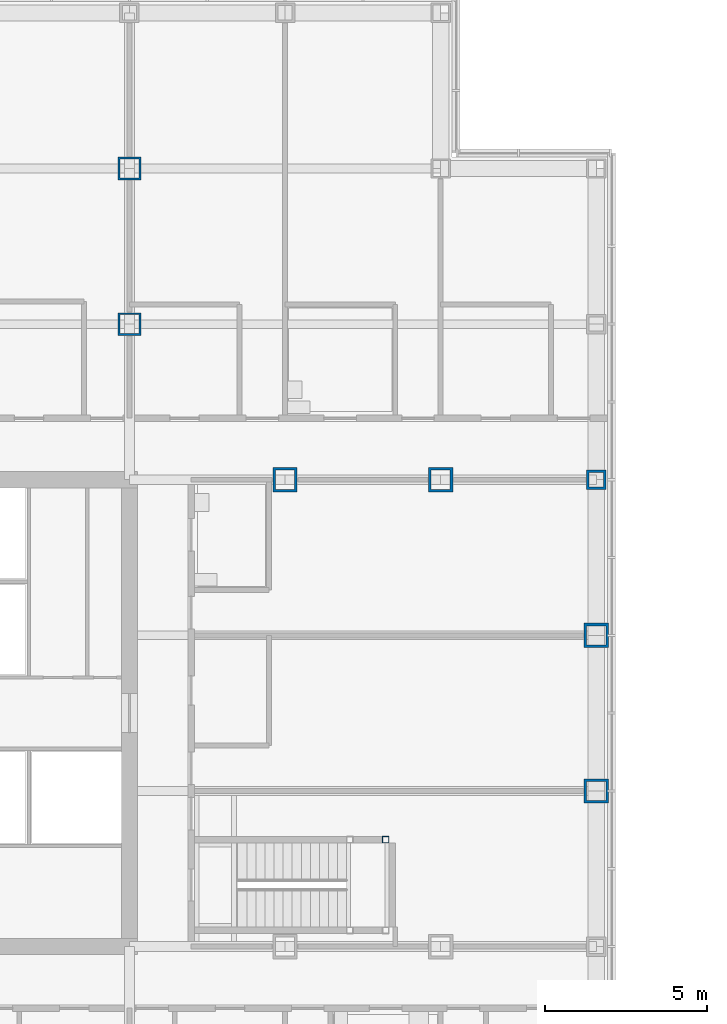
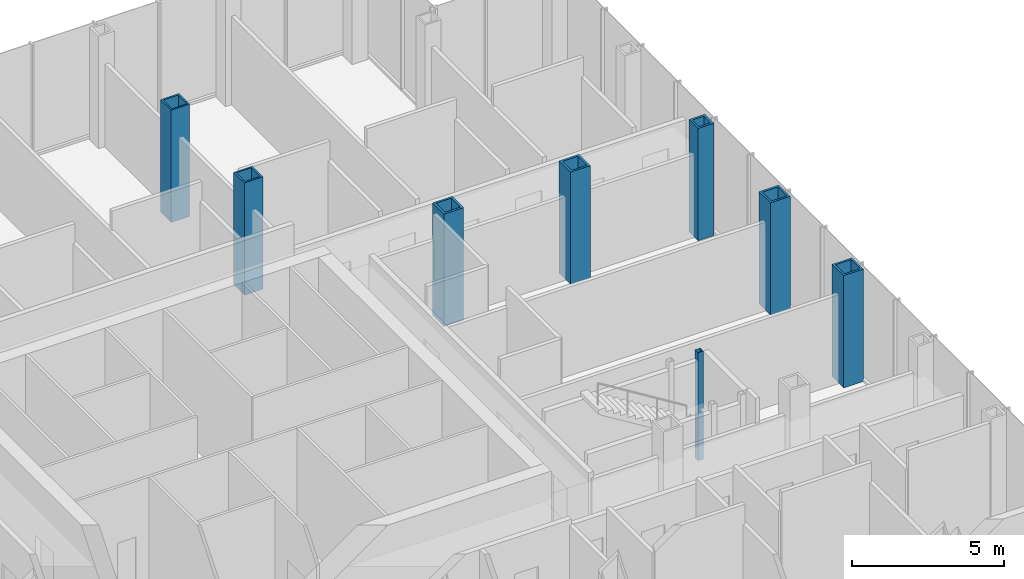
# One storey, part 7 of 24: 8 columns.
"""IFC4 building model written with IfcOpenShell, lengths in metres."""

from ifc_helpers import new_model, si_unit, direction, frame, origin, origin_2d, place, context, subcontext, project, spatial, hollow_rectangle, extrude, material, material_profile, profile_set, type_object, element, save


model = new_model("IFC4")

# Units and contexts
model_context = context("Model", 3, precision=1e-05, world=origin(), true_north=direction((0.0, 1.0)))
body_context = subcontext(model_context, "Body", "Model", "MODEL_VIEW")
ifc_project = project(units=[si_unit("LENGTHUNIT", "METRE"), si_unit("AREAUNIT", "SQUARE_METRE"), si_unit("VOLUMEUNIT", "CUBIC_METRE"), si_unit("PLANEANGLEUNIT", "RADIAN"), si_unit("MASSUNIT", "GRAM", prefix="KILO")], contexts=[model_context])

# Site, building, storey
site_placement = place(None, origin())
site = spatial("IfcSite", under=ifc_project, at=site_placement, CompositionType="ELEMENT")
building_placement = place(site_placement, origin())
building = spatial("IfcBuilding", under=site, at=building_placement, Name="Kvirike Care Tower", CompositionType="ELEMENT")
storey_placement = place(building_placement, frame((0.0, 0.0, 22.5)))
storey = spatial("IfcBuildingStorey", under=building, at=storey_placement, Name="L05", CompositionType="ELEMENT", Elevation=22.5)

# Columns
ifc_material_1 = material(Name="Steel S460", Category="steel")
ifc_material_profile_1 = material_profile(ifc_material_1, hollow_rectangle(XDim=0.60009765625, YDim=0.60009765625, WallThickness=0.080078125, at=origin_2d()), Name="BX 600x600x80")
ifc_profile_set_1 = profile_set([ifc_material_profile_1], Name="Steel S460")
column_type_1 = type_object("IfcColumnType", Name="COLUMN BX 600x600x80", PredefinedType="COLUMN", material=ifc_profile_set_1)
column_1_placement = place(storey_placement, frame((43.199951171875, 43.199951171875, 0.0), z_axis=(0.0, 0.0, 1.0), x_axis=(0.0, 1.0, 0.0)))
element("IfcColumn", 1, at=column_1_placement, inside=storey, type_object=column_type_1, Name="Column K12 L05", PredefinedType="COLUMN", context=body_context, shape_type="SweptSolid", body=[
    extrude(hollow_rectangle(XDim=0.60009765625, YDim=0.60009765625, WallThickness=0.080078125, at=origin_2d()), origin(), (0.0, 0.0, 1.0), 4.5),
])
ifc_material_2 = material(Name="Steel S460", Category="steel")
ifc_material_profile_2 = material_profile(ifc_material_2, hollow_rectangle(XDim=0.699951171875, YDim=0.699951171875, WallThickness=0.06005859375, at=origin_2d()), Name="BX 700x700x60")
ifc_profile_set_2 = profile_set([ifc_material_profile_2], Name="Steel S460")
column_type_2 = type_object("IfcColumnType", Name="COLUMN BX 700x700x60", PredefinedType="COLUMN", material=ifc_profile_set_2)
for number, where, z_axis, x_axis, name in (
    (2, (28.800048828125, 48.0, 0.0), (0.0, 0.0, 1.0), (1.0, 0.0, 0.0), "Column L9 L05"),
    (3, (28.800048828125, 52.800048828125, 0.0), (0.0, 0.0, 1.0), (1.0, 0.0, 0.0), "Column M9 L05"),
):
    element("IfcColumn", number, at=place(storey_placement, frame(where, z_axis=z_axis, x_axis=x_axis)), inside=storey, type_object=column_type_2, Name=name, PredefinedType="COLUMN", context=body_context, shape_type="SweptSolid", body=[
        extrude(hollow_rectangle(XDim=0.699951171875, YDim=0.699951171875, WallThickness=0.06005859375, at=origin_2d()), origin(), (0.0, 0.0, 1.0), 4.5),
    ])
ifc_material_3 = material(Name="Steel S460", Category="steel")
ifc_material_profile_3 = material_profile(ifc_material_3, hollow_rectangle(XDim=0.75, YDim=0.75, WallThickness=0.080078125, at=origin_2d()), Name="BX 750x750x80")
ifc_profile_set_3 = profile_set([ifc_material_profile_3], Name="Steel S460")
column_type_3 = type_object("IfcColumnType", Name="COLUMN BX 750x750x80", PredefinedType="COLUMN", material=ifc_profile_set_3)
for number, where, z_axis, x_axis, name in (
    (4, (33.60009765625, 43.199951171875, 0.0), (0.0, 0.0, 1.0), (0.0, 1.0, 0.0), "Column K10 L05"),
    (5, (38.39990234375, 43.199951171875, 0.0), (0.0, 0.0, 1.0), (0.0, 1.0, 0.0), "Column K11 L05"),
    (6, (43.199951171875, 33.60009765625, 0.0), (0.0, 0.0, 1.0), (1.0, 0.0, 0.0), "Column H12 L05"),
    (7, (43.199951171875, 38.39990234375, 0.0), (0.0, 0.0, 1.0), (1.0, 0.0, 0.0), "Column J12 L05"),
):
    element("IfcColumn", number, at=place(storey_placement, frame(where, z_axis=z_axis, x_axis=x_axis)), inside=storey, type_object=column_type_3, Name=name, PredefinedType="COLUMN", context=body_context, shape_type="SweptSolid", body=[
        extrude(hollow_rectangle(XDim=0.75, YDim=0.75, WallThickness=0.080078125, at=origin_2d()), origin(), (0.0, 0.0, 1.0), 4.5),
    ])
ifc_material_4 = material(Name="Steel S460", Category="steel")
ifc_material_profile_4 = material_profile(ifc_material_4, hollow_rectangle(XDim=0.199951171875, YDim=0.199951171875, WallThickness=0.008056640625, at=origin_2d()), Name="SHS 200x200x8")
ifc_profile_set_4 = profile_set([ifc_material_profile_4], Name="Steel S460")
column_type_4 = type_object("IfcColumnType", Name="STAIR POST SHS 200x200x8", PredefinedType="COLUMN", material=ifc_profile_set_4)
column_2_placement = place(storey_placement, frame((36.699951171875, 32.10009765625, 0.0), z_axis=(0.0, 0.0, 1.0), x_axis=(1.0, 0.0, 0.0)))
element("IfcColumn", 8, at=column_2_placement, inside=storey, type_object=column_type_4, Name="Stair 2 post 2 L05", PredefinedType="COLUMN", context=body_context, shape_type="SweptSolid", body=[
    extrude(hollow_rectangle(XDim=0.199951171875, YDim=0.199951171875, WallThickness=0.008056640625, at=origin_2d()), origin(), (0.0, 0.0, 1.0), 4.330078125),
])

save(model, "model.ifc")
